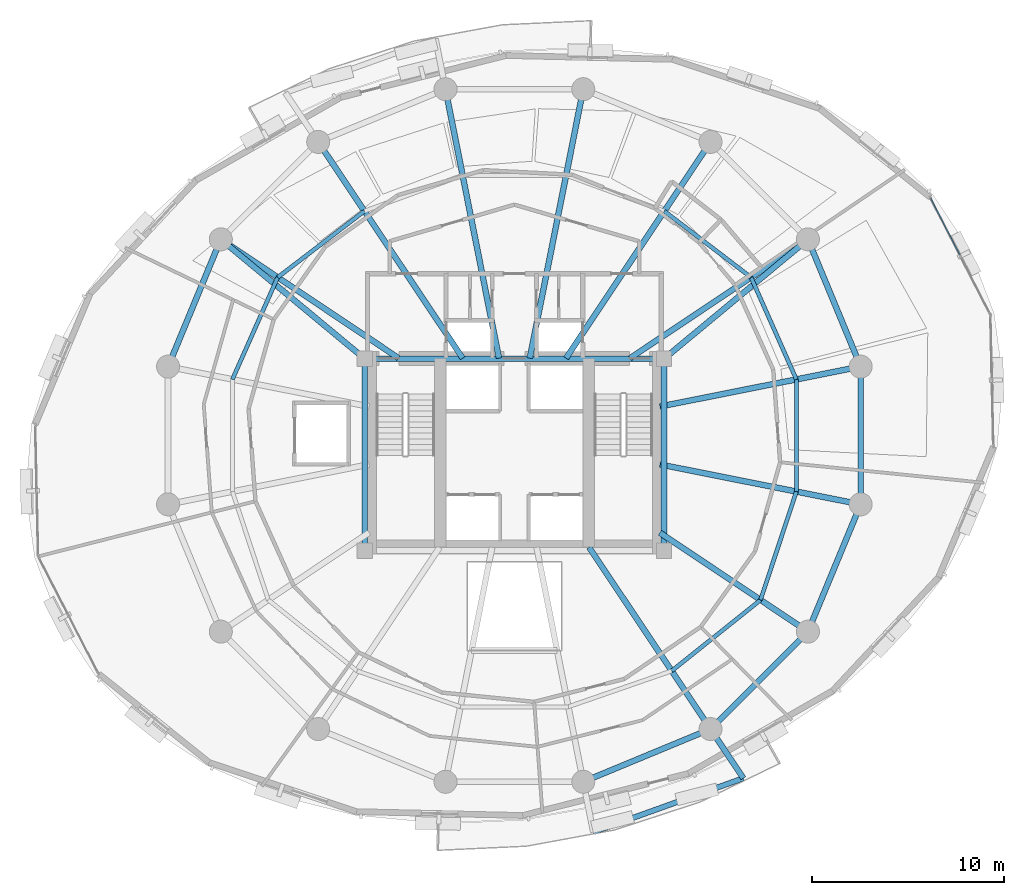
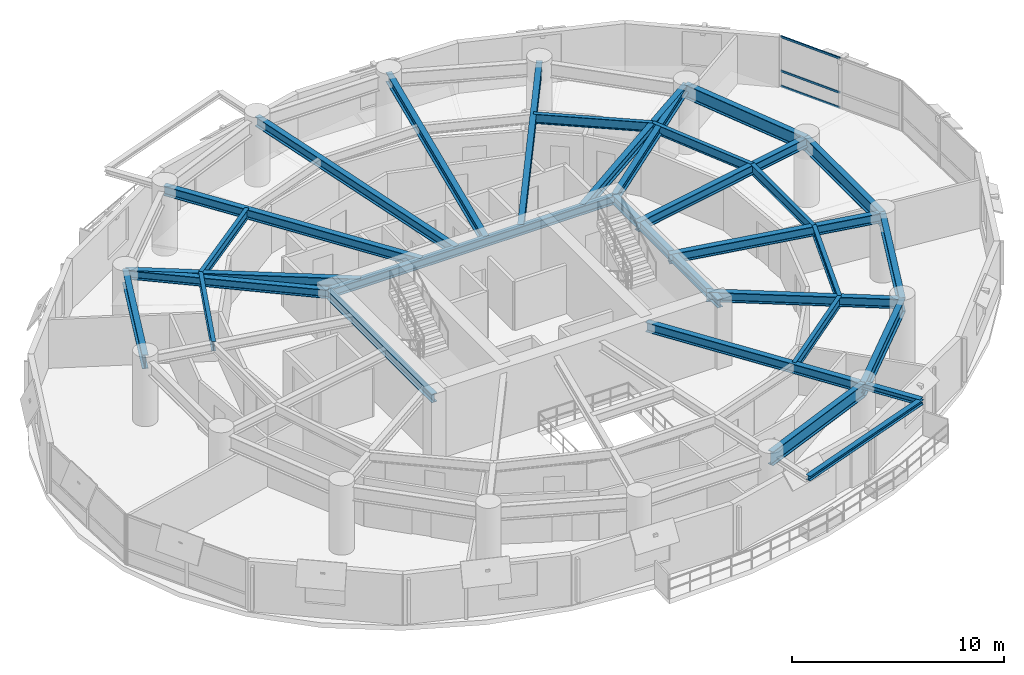
# One storey, part 5 of 15: 30 beams, 3 members, 1 element without a shape of its own.
"""IFC4 building model written with IfcOpenShell, lengths in metres."""

from ifc_helpers import new_model, si_unit, direction, frame, origin, origin_2d, place, context, subcontext, project, spatial, hollow_rectangle, i_section, extrude, material, layer, layer_set, material_profile, profile_set, type_object, element, aggregate, save


model = new_model("IFC4")

# Units and contexts
model_context = context("Model", 3, precision=1e-05, world=origin(), true_north=direction((0.0, 1.0)))
body_context = subcontext(model_context, "Body", "Model", "MODEL_VIEW")
ifc_project = project(units=[si_unit("LENGTHUNIT", "METRE"), si_unit("AREAUNIT", "SQUARE_METRE"), si_unit("VOLUMEUNIT", "CUBIC_METRE"), si_unit("PLANEANGLEUNIT", "RADIAN"), si_unit("MASSUNIT", "GRAM", prefix="KILO"), si_unit("THERMODYNAMICTEMPERATUREUNIT", "KELVIN"), si_unit("POWERUNIT", "WATT")], contexts=[model_context])

# Site, building, storey
site_placement = place(None, origin())
site = spatial("IfcSite", under=ifc_project, at=site_placement, CompositionType="ELEMENT")
building_placement = place(site_placement, origin())
building = spatial("IfcBuilding", under=site, at=building_placement, Name="Ocrelia Relay Tower", CompositionType="ELEMENT")
storey_placement = place(building_placement, frame((0.0, 0.0, 93.800048828125)))
storey = spatial("IfcBuildingStorey", under=building, at=storey_placement, Name="L21", CompositionType="ELEMENT", Elevation=93.800048828125)

# Beams
ifc_material_1 = material(Name="Steel S355", Category="steel")
ifc_material_profile_1 = material_profile(ifc_material_1, i_section(OverallWidth=0.280029296875, OverallDepth=0.27001953125, WebThickness=0.008056640625, FlangeThickness=0.012939453125, FilletRadius=0.02392578125, at=origin_2d()), Name="HEA 280")
ifc_profile_set_1 = profile_set([ifc_material_profile_1], Name="Steel S355")
beam_type_1 = type_object("IfcBeamType", Name="BM-HEA280", PredefinedType="BEAM", material=ifc_profile_set_1)
beam_1_placement = place(storey_placement, frame((38.11181640625, 5.329345703125, 3.5849609375), z_axis=(0.941071502607, 0.338207668425, 0.0), x_axis=(-0.338207668425, 0.941071502607, 0.0)))
element("IfcBeam", 1, at=beam_1_placement, inside=storey, type_object=beam_type_1, Name="L22 Balcony Edge Trimmer Beam B2", PredefinedType="BEAM", context=body_context, shape_type="SweptSolid", body=[
    extrude(i_section(OverallWidth=0.280029296875, OverallDepth=0.27001953125, WebThickness=0.008056640625, FlangeThickness=0.012939453125, FilletRadius=0.02392578125, at=origin_2d()), origin(), (0.0, 0.0, 1.0), 8.3115234375),
])
ifc_material_profile_2 = material_profile(ifc_material_1, i_section(OverallWidth=0.300048828125, OverallDepth=0.330078125, WebThickness=0.009521484375, FlangeThickness=0.0166015625, FilletRadius=0.027099609375, at=origin_2d()), Name="HEA 340")
ifc_profile_set_2 = profile_set([ifc_material_profile_2], Name="Steel S355")
beam_type_2 = type_object("IfcBeamType", Name="BM-HEA340", PredefinedType="BEAM", material=ifc_profile_set_2)
beam_2_placement = place(storey_placement, frame((44.222412109375, 10.700927734375, 3.554931640625), z_axis=(0.555632843809, -0.831427773701, 0.0), x_axis=(0.831427773701, 0.555632843809, 0.0)))
element("IfcBeam", 2, at=beam_2_placement, inside=storey, type_object=beam_type_2, Name="L22 Balcony Cantilever Beam B2-2", PredefinedType="BEAM", context=body_context, shape_type="SweptSolid", body=[
    extrude(i_section(OverallWidth=0.300048828125, OverallDepth=0.330078125, WebThickness=0.009521484375, FlangeThickness=0.0166015625, FilletRadius=0.027099609375, at=origin_2d()), origin(), (0.0, 0.0, 1.0), 3.07958984375),
])
ifc_material_profile_3 = material_profile(ifc_material_1, i_section(OverallWidth=0.300048828125, OverallDepth=0.5, WebThickness=0.014404296875, FlangeThickness=0.028076171875, FilletRadius=0.027099609375, at=origin_2d()), Name="HEB 500")
ifc_profile_set_3 = profile_set([ifc_material_profile_3], Name="Steel S355")
beam_type_3 = type_object("IfcBeamType", Name="BM-HEB500", PredefinedType="BEAM", material=ifc_profile_set_3)
beam_3_placement = place(storey_placement, frame((26.199951171875, 30.0, 3.469970703125), z_axis=(1.0, 0.0, 0.0), x_axis=(0.0, 1.0, 0.0)))
element("IfcBeam", 3, at=beam_3_placement, inside=storey, type_object=beam_type_3, Name="L21 Core Pilaster Tie Beam N", PredefinedType="BEAM", context=body_context, shape_type="SweptSolid", body=[
    extrude(i_section(OverallWidth=0.300048828125, OverallDepth=0.5, WebThickness=0.014404296875, FlangeThickness=0.028076171875, FilletRadius=0.027099609375, at=origin_2d()), origin(), (0.0, 0.0, 1.0), 15.60009765625),
])
for number, where, z_axis, x_axis, name in (
    (4, (26.199951171875, 20.0, 3.469970703125), (0.0, 1.0, 0.0), (-1.0, 0.0, 0.0), "L21 Core Pilaster Tie Beam W"),
    (5, (41.800048828125, 20.0, 3.469970703125), (0.0, 1.0, 0.0), (-1.0, 0.0, 0.0), "L21 Core Pilaster Tie Beam E"),
):
    element("IfcBeam", number, at=place(storey_placement, frame(where, z_axis=z_axis, x_axis=x_axis)), inside=storey, type_object=beam_type_3, Name=name, PredefinedType="BEAM", context=body_context, shape_type="SweptSolid", body=[
        extrude(i_section(OverallWidth=0.300048828125, OverallDepth=0.5, WebThickness=0.014404296875, FlangeThickness=0.028076171875, FilletRadius=0.027099609375, at=origin_2d()), origin(), (0.0, 0.0, 1.0), 10.0),
    ])
for number, where, z_axis, x_axis, name in (
    (6, (49.299072265625, 36.222412109375, 3.469970703125), (-0.769570862751, -0.638561420072, 0.0), (0.638561420072, -0.769570862751, 0.0), "L21 Core Pilaster Frame Tie Beam PT02"),
    (7, (18.700927734375, 36.222412109375, 3.469970703125), (0.769570862751, -0.638561420072, 0.0), (0.638561420072, 0.769570862751, 0.0), "L21 Core Pilaster Frame Tie Beam PT07"),
):
    element("IfcBeam", number, at=place(storey_placement, frame(where, z_axis=z_axis, x_axis=x_axis)), inside=storey, type_object=beam_type_3, Name=name, PredefinedType="BEAM", context=body_context, shape_type="SweptSolid", body=[
        extrude(i_section(OverallWidth=0.300048828125, OverallDepth=0.5, WebThickness=0.014404296875, FlangeThickness=0.028076171875, FilletRadius=0.027099609375, at=origin_2d()), origin(), (0.0, 0.0, 1.0), 9.744384765625),
    ])
ifc_material_profile_4 = material_profile(ifc_material_1, i_section(OverallWidth=0.300048828125, OverallDepth=0.550048828125, WebThickness=0.014892578125, FlangeThickness=0.029052734375, FilletRadius=0.027099609375, at=origin_2d()), Name="HEB 550")
ifc_profile_set_4 = profile_set([ifc_material_profile_4], Name="Steel S355")
beam_type_4 = type_object("IfcBeamType", Name="BM-HEB550", PredefinedType="BEAM", material=ifc_profile_set_4)
beam_4_placement = place(storey_placement, frame((52.04638671875, 29.589599609375, 3.445068359375), z_axis=(-0.980786914024, -0.195082109071, 0.0), x_axis=(0.195082109071, -0.980786914024, 0.0)))
element("IfcBeam", 8, at=beam_4_placement, inside=storey, type_object=beam_type_4, Name="L21 Radial Floor Girder R01", PredefinedType="BEAM", context=body_context, shape_type="SweptSolid", body=[
    extrude(i_section(OverallWidth=0.300048828125, OverallDepth=0.550048828125, WebThickness=0.014892578125, FlangeThickness=0.029052734375, FilletRadius=0.027099609375, at=origin_2d()), origin(), (0.0, 0.0, 1.0), 10.67138671875),
])
beam_5_placement = place(storey_placement, frame((49.299072265625, 36.222412109375, 3.445068359375), z_axis=(-0.83147699108, -0.555559189741, 0.0), x_axis=(0.555559189741, -0.83147699108, 0.0)))
element("IfcBeam", 9, at=beam_5_placement, inside=storey, type_object=beam_type_4, Name="L21 Radial Floor Girder R02", PredefinedType="BEAM", context=body_context, shape_type="SweptSolid", body=[
    extrude(i_section(OverallWidth=0.300048828125, OverallDepth=0.550048828125, WebThickness=0.014892578125, FlangeThickness=0.029052734375, FilletRadius=0.027099609375, at=origin_2d()), origin(), (0.0, 0.0, 1.0), 11.146240234375),
])
beam_6_placement = place(storey_placement, frame((44.222412109375, 41.299072265625, 3.445068359375), z_axis=(-0.555560399988, -0.83147618244, 0.0), x_axis=(0.83147618244, -0.555560399988, 0.0)))
element("IfcBeam", 10, at=beam_6_placement, inside=storey, type_object=beam_type_4, Name="L21 Radial Floor Girder R03", PredefinedType="BEAM", context=body_context, shape_type="SweptSolid", body=[
    extrude(i_section(OverallWidth=0.300048828125, OverallDepth=0.550048828125, WebThickness=0.014892578125, FlangeThickness=0.029052734375, FilletRadius=0.027099609375, at=origin_2d()), origin(), (0.0, 0.0, 1.0), 13.552978515625),
])
for number, where, z_axis, x_axis, name in (
    (11, (37.589599609375, 44.04638671875, 3.445068359375), (-0.195094300142, -0.980784489096, 0.0), (0.980784489096, -0.195094300142, 0.0), "L21 Radial Floor Girder R04"),
    (12, (30.410400390625, 44.04638671875, 3.445068359375), (0.195094300142, -0.980784489096, 0.0), (0.980784489096, 0.195094300142, 0.0), "L21 Radial Floor Girder R05"),
):
    element("IfcBeam", number, at=place(storey_placement, frame(where, z_axis=z_axis, x_axis=x_axis)), inside=storey, type_object=beam_type_4, Name=name, PredefinedType="BEAM", context=body_context, shape_type="SweptSolid", body=[
        extrude(i_section(OverallWidth=0.300048828125, OverallDepth=0.550048828125, WebThickness=0.014892578125, FlangeThickness=0.029052734375, FilletRadius=0.027099609375, at=origin_2d()), origin(), (0.0, 0.0, 1.0), 14.291015625),
    ])
beam_7_placement = place(storey_placement, frame((23.777587890625, 41.299072265625, 3.445068359375), z_axis=(0.555560399988, -0.83147618244, 0.0), x_axis=(0.83147618244, 0.555560399988, 0.0)))
element("IfcBeam", 13, at=beam_7_placement, inside=storey, type_object=beam_type_4, Name="L21 Radial Floor Girder R06", PredefinedType="BEAM", context=body_context, shape_type="SweptSolid", body=[
    extrude(i_section(OverallWidth=0.300048828125, OverallDepth=0.550048828125, WebThickness=0.014892578125, FlangeThickness=0.029052734375, FilletRadius=0.027099609375, at=origin_2d()), origin(), (0.0, 0.0, 1.0), 13.552978515625),
])
beam_8_placement = place(storey_placement, frame((18.700927734375, 36.222412109375, 3.445068359375), z_axis=(0.83147699108, -0.555559189741, 0.0), x_axis=(0.555559189741, 0.83147699108, 0.0)))
element("IfcBeam", 14, at=beam_8_placement, inside=storey, type_object=beam_type_4, Name="L21 Radial Floor Girder R07", PredefinedType="BEAM", context=body_context, shape_type="SweptSolid", body=[
    extrude(i_section(OverallWidth=0.300048828125, OverallDepth=0.550048828125, WebThickness=0.014892578125, FlangeThickness=0.029052734375, FilletRadius=0.027099609375, at=origin_2d()), origin(), (0.0, 0.0, 1.0), 11.146240234375),
])
beam_9_placement = place(storey_placement, frame((44.222412109375, 10.700927734375, 3.445068359375), z_axis=(-0.555565661158, 0.831472667105, 0.0), x_axis=(-0.831472667105, -0.555565661158, 0.0)))
element("IfcBeam", 15, at=beam_9_placement, inside=storey, type_object=beam_type_4, Name="L21 Radial Floor Girder R14", PredefinedType="BEAM", context=body_context, shape_type="SweptSolid", body=[
    extrude(i_section(OverallWidth=0.300048828125, OverallDepth=0.550048828125, WebThickness=0.014892578125, FlangeThickness=0.029052734375, FilletRadius=0.027099609375, at=origin_2d()), origin(), (0.0, 0.0, 1.0), 11.38818359375),
])
beam_10_placement = place(storey_placement, frame((49.299072265625, 15.777587890625, 3.445068359375), z_axis=(-0.8314672312, 0.555573796575, 0.0), x_axis=(-0.555573796575, -0.8314672312, 0.0)))
element("IfcBeam", 16, at=beam_10_placement, inside=storey, type_object=beam_type_4, Name="L21 Radial Floor Girder R15", PredefinedType="BEAM", context=body_context, shape_type="SweptSolid", body=[
    extrude(i_section(OverallWidth=0.300048828125, OverallDepth=0.550048828125, WebThickness=0.014892578125, FlangeThickness=0.029052734375, FilletRadius=0.027099609375, at=origin_2d()), origin(), (0.0, 0.0, 1.0), 9.28369140625),
])
beam_11_placement = place(storey_placement, frame((52.04638671875, 22.410400390625, 3.445068359375), z_axis=(-0.980786914024, 0.195082109071, 0.0), x_axis=(-0.195082109071, -0.980786914024, 0.0)))
element("IfcBeam", 17, at=beam_11_placement, inside=storey, type_object=beam_type_4, Name="L21 Radial Floor Girder R16", PredefinedType="BEAM", context=body_context, shape_type="SweptSolid", body=[
    extrude(i_section(OverallWidth=0.300048828125, OverallDepth=0.550048828125, WebThickness=0.014892578125, FlangeThickness=0.029052734375, FilletRadius=0.027099609375, at=origin_2d()), origin(), (0.0, 0.0, 1.0), 10.67138671875),
])
ifc_material_profile_5 = material_profile(ifc_material_1, i_section(OverallWidth=0.300048828125, OverallDepth=0.800048828125, WebThickness=0.017578125, FlangeThickness=0.032958984375, FilletRadius=0.030029296875, at=origin_2d()), Name="HEB 800")
ifc_profile_set_5 = profile_set([ifc_material_profile_5], Name="Steel S355")
beam_type_5 = type_object("IfcBeamType", Name="BM-HEB800", PredefinedType="BEAM", material=ifc_profile_set_5)
for number, where, z_axis, x_axis, name in (
    (18, (52.04638671875, 29.589599609375, 3.320068359375), (-0.382673155247, 0.923883789366, 0.0), (-0.923883789366, -0.382673155247, 0.0), "L21 Perimeter Spandrel Beam S01"),
    (19, (18.700927734375, 36.222412109375, 3.320068359375), (-0.382673155247, -0.923883789366, 0.0), (0.923883789366, -0.382673155247, 0.0), "L21 Perimeter Spandrel Beam S07"),
    (20, (37.589599609375, 7.95361328125, 3.320068359375), (0.923883789366, 0.382673155247, 0.0), (-0.382673155247, 0.923883789366, 0.0), "L21 Perimeter Spandrel Beam S13"),
):
    element("IfcBeam", number, at=place(storey_placement, frame(where, z_axis=z_axis, x_axis=x_axis)), inside=storey, type_object=beam_type_5, Name=name, PredefinedType="BEAM", context=body_context, shape_type="SweptSolid", body=[
        extrude(i_section(OverallWidth=0.300048828125, OverallDepth=0.800048828125, WebThickness=0.017578125, FlangeThickness=0.032958984375, FilletRadius=0.030029296875, at=origin_2d()), origin(), (0.0, 0.0, 1.0), 7.17919921875),
    ])
beam_12_placement = place(storey_placement, frame((44.222412109375, 10.700927734375, 3.320068359375), z_axis=(0.707106781187, 0.707106781187, 0.0), x_axis=(-0.707106781187, 0.707106781187, 0.0)))
element("IfcBeam", 21, at=beam_12_placement, inside=storey, type_object=beam_type_5, Name="L21 Perimeter Spandrel Beam S14", PredefinedType="BEAM", context=body_context, shape_type="SweptSolid", body=[
    extrude(i_section(OverallWidth=0.300048828125, OverallDepth=0.800048828125, WebThickness=0.017578125, FlangeThickness=0.032958984375, FilletRadius=0.030029296875, at=origin_2d()), origin(), (0.0, 0.0, 1.0), 7.179443359375),
])
for number, where, z_axis, x_axis, name in (
    (22, (49.299072265625, 15.777587890625, 3.320068359375), (0.382673155247, 0.923883789366, 0.0), (-0.923883789366, 0.382673155247, 0.0), "L21 Perimeter Spandrel Beam S15"),
    (23, (52.04638671875, 22.410400390625, 3.320068359375), (0.0, 1.0, 0.0), (-1.0, 0.0, 0.0), "L21 Perimeter Spandrel Beam S16"),
):
    element("IfcBeam", number, at=place(storey_placement, frame(where, z_axis=z_axis, x_axis=x_axis)), inside=storey, type_object=beam_type_5, Name=name, PredefinedType="BEAM", context=body_context, shape_type="SweptSolid", body=[
        extrude(i_section(OverallWidth=0.300048828125, OverallDepth=0.800048828125, WebThickness=0.017578125, FlangeThickness=0.032958984375, FilletRadius=0.030029296875, at=origin_2d()), origin(), (0.0, 0.0, 1.0), 7.17919921875),
    ])
ifc_material_profile_6 = material_profile(ifc_material_1, i_section(OverallWidth=0.2099609375, OverallDepth=0.550048828125, WebThickness=0.010986328125, FlangeThickness=0.01708984375, FilletRadius=0.02392578125, at=origin_2d()), Name="IPE 550")
ifc_profile_set_6 = profile_set([ifc_material_profile_6], Name="Steel S355")
beam_type_6 = type_object("IfcBeamType", Name="BM-IPE550", PredefinedType="JOIST", material=ifc_profile_set_6)
beam_13_placement = place(storey_placement, frame((48.697265625, 28.923583984375, 3.445068359375), z_axis=(-0.406243565397, 0.913764830563, 0.0), x_axis=(-0.913764830563, -0.406243565397, 0.0)))
element("IfcBeam", 24, at=beam_13_placement, inside=storey, type_object=beam_type_6, Name="L21 Secondary Floor Joist J01", PredefinedType="JOIST", context=body_context, shape_type="SweptSolid", body=[
    extrude(i_section(OverallWidth=0.2099609375, OverallDepth=0.550048828125, WebThickness=0.010986328125, FlangeThickness=0.01708984375, FilletRadius=0.02392578125, at=origin_2d()), origin(), (0.0, 0.0, 1.0), 5.819091796875),
])
for number, where, z_axis, x_axis, name in (
    (25, (46.333251953125, 34.240966796875, 3.445068359375), (-0.794762167004, 0.60692099807, 0.0), (-0.60692099807, -0.794762167004, 0.0), "L21 Secondary Floor Joist J02"),
    (26, (26.18701171875, 37.69287109375, 3.445068359375), (-0.794762167004, -0.60692099807, 0.0), (0.60692099807, -0.794762167004, 0.0), "L21 Secondary Floor Joist J06"),
):
    element("IfcBeam", number, at=place(storey_placement, frame(where, z_axis=z_axis, x_axis=x_axis)), inside=storey, type_object=beam_type_6, Name=name, PredefinedType="JOIST", context=body_context, shape_type="SweptSolid", body=[
        extrude(i_section(OverallWidth=0.2099609375, OverallDepth=0.550048828125, WebThickness=0.010986328125, FlangeThickness=0.01708984375, FilletRadius=0.02392578125, at=origin_2d()), origin(), (0.0, 0.0, 1.0), 5.6875),
    ])
beam_14_placement = place(storey_placement, frame((21.666748046875, 34.240966796875, 3.445068359375), z_axis=(-0.405741333342, -0.913987948727, 0.0), x_axis=(0.913987948727, -0.405741333342, 0.0)))
element("IfcBeam", 27, at=beam_14_placement, inside=storey, type_object=beam_type_6, Name="L21 Secondary Floor Joist J07", PredefinedType="JOIST", context=body_context, shape_type="SweptSolid", body=[
    extrude(i_section(OverallWidth=0.2099609375, OverallDepth=0.550048828125, WebThickness=0.010986328125, FlangeThickness=0.01708984375, FilletRadius=0.02392578125, at=origin_2d()), origin(), (0.0, 0.0, 1.0), 5.818603515625),
])
beam_15_placement = place(storey_placement, frame((42.197998046875, 13.731201171875, 3.445068359375), z_axis=(0.781519577804, 0.623880717372, 0.0), x_axis=(-0.623880717372, 0.781519577804, 0.0)))
element("IfcBeam", 28, at=beam_15_placement, inside=storey, type_object=beam_type_6, Name="L21 Secondary Floor Joist J14", PredefinedType="JOIST", context=body_context, shape_type="SweptSolid", body=[
    extrude(i_section(OverallWidth=0.2099609375, OverallDepth=0.550048828125, WebThickness=0.010986328125, FlangeThickness=0.01708984375, FilletRadius=0.02392578125, at=origin_2d()), origin(), (0.0, 0.0, 1.0), 5.925537109375),
])
beam_16_placement = place(storey_placement, frame((46.828857421875, 17.427978515625, 3.445068359375), z_axis=(0.314047924314, 0.949407131443, 0.0), x_axis=(-0.949407131443, 0.314047924314, 0.0)))
element("IfcBeam", 29, at=beam_16_placement, inside=storey, type_object=beam_type_6, Name="L21 Secondary Floor Joist J15", PredefinedType="JOIST", context=body_context, shape_type="SweptSolid", body=[
    extrude(i_section(OverallWidth=0.2099609375, OverallDepth=0.550048828125, WebThickness=0.010986328125, FlangeThickness=0.01708984375, FilletRadius=0.02392578125, at=origin_2d()), origin(), (0.0, 0.0, 1.0), 5.949462890625),
])
beam_17_placement = place(storey_placement, frame((48.697265625, 23.076416015625, 3.445068359375), z_axis=(0.0, 1.0, 0.0), x_axis=(-1.0, 0.0, 0.0)))
element("IfcBeam", 30, at=beam_17_placement, inside=storey, type_object=beam_type_6, Name="L21 Secondary Floor Joist J16", PredefinedType="JOIST", context=body_context, shape_type="SweptSolid", body=[
    extrude(i_section(OverallWidth=0.2099609375, OverallDepth=0.550048828125, WebThickness=0.010986328125, FlangeThickness=0.01708984375, FilletRadius=0.02392578125, at=origin_2d()), origin(), (0.0, 0.0, 1.0), 5.84716796875),
])

# Curtain wall, members
ifc_material_2 = material(Name="Aluminium and solar-control low-E glass", Category="aluminium")
ifc_layer = layer(ifc_material_2, 0.179931640625, Name="Aluminium and solar-control low-E glass")
ifc_layer_set = layer_set([ifc_layer], Name="Aluminium and solar-control low-E glass")
curtain_wall_type = type_object("IfcCurtainWallType", Name="CW-SYS-Z2-SWIT", PredefinedType="NOTDEFINED", material=ifc_layer_set)
curtain_wall_placement = place(storey_placement, origin())
curtain_wall = element("IfcCurtainWall", 31, at=curtain_wall_placement, inside=storey, type_object=curtain_wall_type, Name="L21 Elliptical Tower Curtain Wall Bay 01", PredefinedType="NOTDEFINED")
ifc_material_3 = material(Name="Anodised bronze aluminium", Category="aluminium")
ifc_material_profile_7 = material_profile(ifc_material_3, hollow_rectangle(XDim=0.06005859375, YDim=0.1201171875, WallThickness=0.0048828125, at=origin_2d()), Name="CW-TRN-120x60")
ifc_profile_set_7 = profile_set([ifc_material_profile_7], Name="Anodised bronze aluminium")
member_type = type_object("IfcMemberType", Name="CW-SYS-Z2-SWIT-TRN", PredefinedType="USERDEFINED", material=ifc_profile_set_7)
member_1_placement = place(storey_placement, frame((57.22314453125, 35.391357421875, 0.030029296875), z_axis=(-0.457463814565, 0.889228237498, 0.0), x_axis=(-0.889228237498, -0.457463814565, 0.0)))
member_1 = element("IfcMember", 32, at=member_1_placement, type_object=member_type, Name="CW-Z2 transom 2.1", ObjectType="TRANSOM", PredefinedType="USERDEFINED", context=body_context, shape_type="SweptSolid", body=[
    extrude(hollow_rectangle(XDim=0.06005859375, YDim=0.1201171875, WallThickness=0.0048828125, at=origin_2d()), origin(), (0.0, 0.0, 1.0), 3.33447265625),
])
member_2_placement = place(storey_placement, frame((57.22314453125, 35.391357421875, 0.89990234375), z_axis=(-0.457463814565, 0.889228237498, 0.0), x_axis=(-0.889228237498, -0.457463814565, 0.0)))
member_2 = element("IfcMember", 33, at=member_2_placement, type_object=member_type, Name="CW-Z2 transom 2.2", ObjectType="TRANSOM", PredefinedType="USERDEFINED", context=body_context, shape_type="SweptSolid", body=[
    extrude(hollow_rectangle(XDim=0.06005859375, YDim=0.1201171875, WallThickness=0.0048828125, at=origin_2d()), origin(), (0.0, 0.0, 1.0), 3.33447265625),
])
member_3_placement = place(storey_placement, frame((57.22314453125, 35.391357421875, 2.869873046875), z_axis=(-0.457463814565, 0.889228237498, 0.0), x_axis=(-0.889228237498, -0.457463814565, 0.0)))
member_3 = element("IfcMember", 34, at=member_3_placement, type_object=member_type, Name="CW-Z2 transom 2.3", ObjectType="TRANSOM", PredefinedType="USERDEFINED", context=body_context, shape_type="SweptSolid", body=[
    extrude(hollow_rectangle(XDim=0.06005859375, YDim=0.1201171875, WallThickness=0.0048828125, at=origin_2d()), origin(), (0.0, 0.0, 1.0), 3.33447265625),
])
aggregate(curtain_wall, [member_1, member_2, member_3])

save(model, "model.ifc")
